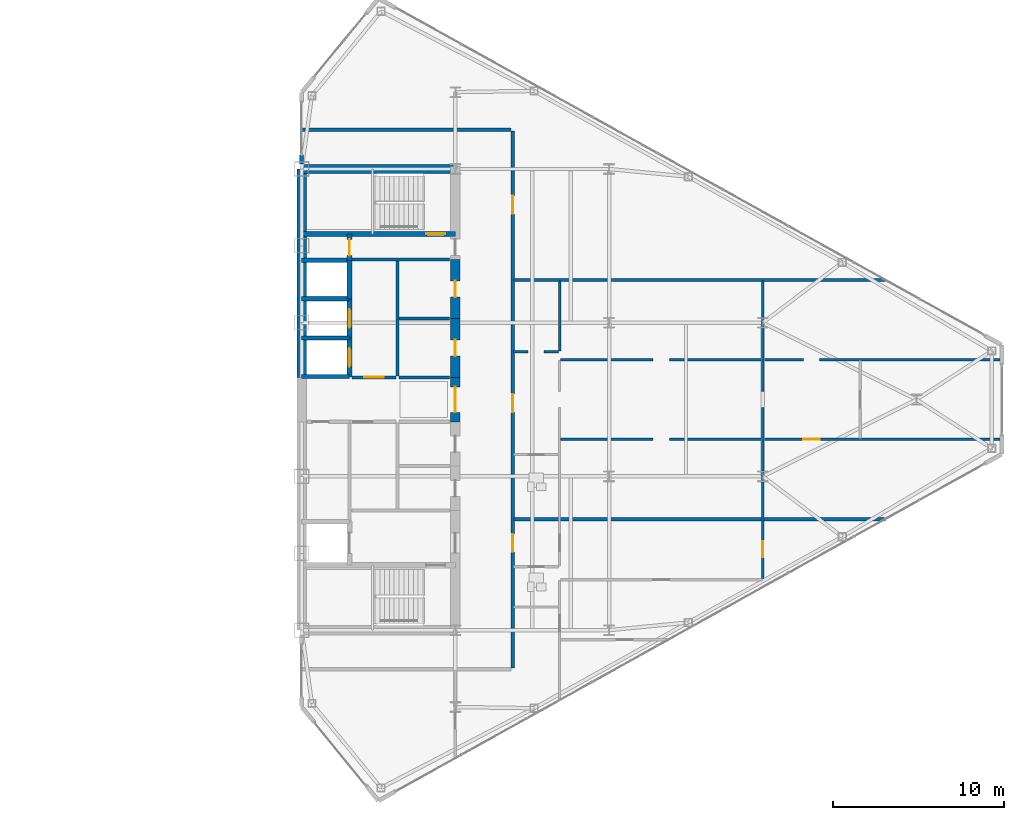
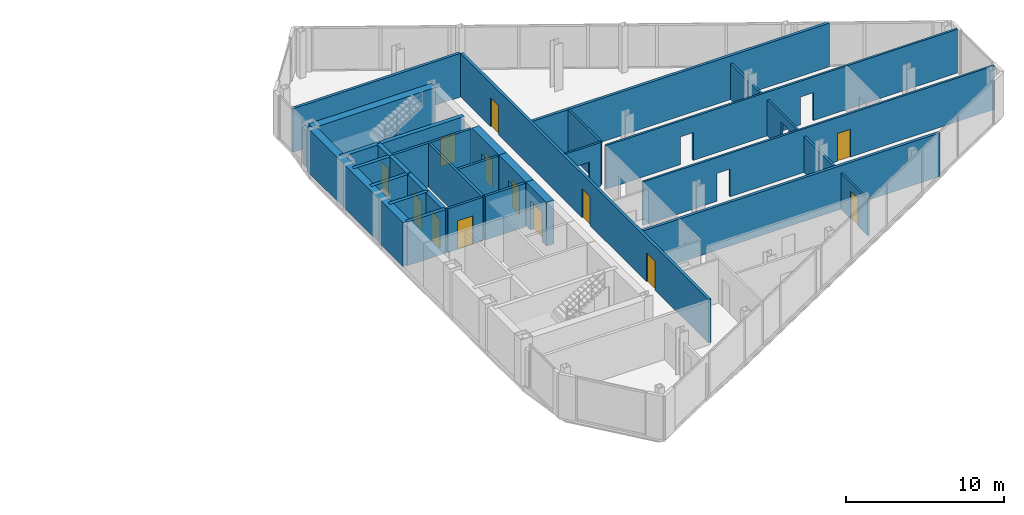
# One storey, part 22 of 26: 29 walls, 13 doors, 18 openings.
"""IFC4 building model written with IfcOpenShell, lengths in metres."""

import ifcopenshell
import ifcopenshell.guid

model = None  # the IFC model being written
_history = None  # IfcOwnerHistory: only IFC2X3 demands one
_inside = {}  # id of a spatial element -> (the spatial element, [elements in it])
_under = {}  # id of a project, library or spatial element -> (it, [spatial elements below it])
_declared = {}  # id of a project -> (the project, [libraries it declares])
_typed = {}  # id of a type object -> (the type object, [elements of that type])
_made_of = {}  # id of a material, layer set ... -> (it, [elements and type objects made of it])


def new_model(schema):
    """Start an empty IFC model of exactly this schema.

    Asked for "IFC4X3", IfcOpenShell would pick the latest addendum, in which some entities
    have other attributes; the version numbers below select the first issue.
    IFC2X3 requires an IfcOwnerHistory on every rooted entity: one is made here for all.
    """
    global model, _history
    if schema == "IFC4X3":
        model = ifcopenshell.file(schema_version=(4, 3, 0, 0))
    else:
        model = ifcopenshell.file(schema=schema)
    _inside.clear()
    _under.clear()
    _declared.clear()
    _typed.clear()
    _made_of.clear()
    _history = None
    if model.schema == "IFC2X3":
        org = make("IfcOrganization", Name="unknown")
        user = make(
            "IfcPersonAndOrganization",
            ThePerson=make("IfcPerson", FamilyName="unknown"),
            TheOrganization=org,
        )
        app = make(
            "IfcApplication",
            ApplicationDeveloper=org,
            Version="unknown",
            ApplicationFullName="unknown",
            ApplicationIdentifier="unknown",
        )
        _history = make(
            "IfcOwnerHistory",
            OwningUser=user,
            OwningApplication=app,
            ChangeAction="ADDED",
            CreationDate=0,
        )
    return model


def make(cls, **values):
    """One entity of the class cls with the attributes given. An attribute that is None is left unset."""
    return model.create_entity(
        cls, **{name: value for name, value in values.items() if value is not None}
    )


def rooted(cls, **values):
    """An entity with a GlobalId (a new one), such as an element, a storey or a relation."""
    return make(cls, GlobalId=ifcopenshell.guid.new(), OwnerHistory=_history, **values)


def si_unit(unit_type, name, prefix=None):
    """IfcSIUnit, for example si_unit("LENGTHUNIT", "METRE", prefix="MILLI")."""
    return make("IfcSIUnit", UnitType=unit_type, Prefix=prefix, Name=name)


def assignment(units):
    """IfcUnitAssignment: the units of a project."""
    return None if units is None else make("IfcUnitAssignment", Units=units)


def point(xyz):
    """IfcCartesianPoint."""
    return None if xyz is None else make("IfcCartesianPoint", Coordinates=xyz)


def direction(xyz):
    """IfcDirection."""
    return None if xyz is None else make("IfcDirection", DirectionRatios=xyz)


def frame(location, z_axis=None, x_axis=None):
    """IfcAxis2Placement3D, a coordinate frame: its origin and axes. An axis left out is left unset."""
    return make(
        "IfcAxis2Placement3D",
        Location=point(location),
        Axis=direction(z_axis),
        RefDirection=direction(x_axis),
    )


def frame_2d(location, x_axis=None):
    """IfcAxis2Placement2D, a coordinate frame in the plane: its origin and x axis."""
    return make(
        "IfcAxis2Placement2D", Location=point(location), RefDirection=direction(x_axis)
    )


def origin():
    """The frame at (0, 0, 0) with its axes left unset."""
    return frame((0.0, 0.0, 0.0))


def place(relative_to, where):
    """IfcLocalPlacement: puts the frame where relative to a parent placement (None: the world)."""
    return make(
        "IfcLocalPlacement", PlacementRelTo=relative_to, RelativePlacement=where
    )


def context(
    kind, dimensions, precision=None, world=None, true_north=None, identifier=None
):
    """IfcGeometricRepresentationContext, for example the 3D "Model" context."""
    return make(
        "IfcGeometricRepresentationContext",
        ContextIdentifier=identifier,
        ContextType=kind,
        CoordinateSpaceDimension=dimensions,
        Precision=precision,
        WorldCoordinateSystem=world,
        TrueNorth=true_north,
    )


def subcontext(parent, identifier, kind, view, scale=None):
    """IfcGeometricRepresentationSubContext, for example "Body" below "Model"."""
    return make(
        "IfcGeometricRepresentationSubContext",
        ContextIdentifier=identifier,
        ContextType=kind,
        ParentContext=parent,
        TargetScale=scale,
        TargetView=view,
    )


def project(units=None, contexts=None):
    """IfcProject with its units and contexts."""
    return rooted(
        "IfcProject",
        Name="project",
        RepresentationContexts=contexts,
        UnitsInContext=assignment(units),
    )


def spatial(cls, under=None, at=None, **own):
    """A site, building, storey or space (cls), placed at a placement, below another one or the project."""
    s = rooted(cls, ObjectPlacement=at, **own)
    if under is not None:
        _under.setdefault(under.id(), (under, []))[1].append(s)
    return s


def profile(cls, at=None, kind="AREA", **sizes):
    """A parametric profile (cls). Its sizes go by their IFC names, for example OverallWidth=200.0."""
    return make(cls, ProfileType=kind, Position=at, **sizes)


def rectangle(**sizes):
    """IfcRectangleProfileDef."""
    return profile("IfcRectangleProfileDef", **sizes)


def extrude(swept, where, along, depth):
    """IfcExtrudedAreaSolid: the profile swept, set in the frame where, extruded along a direction by depth."""
    return make(
        "IfcExtrudedAreaSolid",
        SweptArea=swept,
        Position=where,
        ExtrudedDirection=direction(along),
        Depth=depth,
    )


def shape(context_of_items, identifier, shape_type, items):
    """IfcShapeRepresentation: the items that make up one representation, for example the "Body"."""
    return make(
        "IfcShapeRepresentation",
        ContextOfItems=context_of_items,
        RepresentationIdentifier=identifier,
        RepresentationType=shape_type,
        Items=items,
    )


def source(mapping_origin, context_of_items, identifier, shape_type, items):
    """IfcRepresentationMap: a shape defined once, which mapped items show again and again."""
    return make(
        "IfcRepresentationMap",
        MappingOrigin=mapping_origin,
        MappedRepresentation=shape(context_of_items, identifier, shape_type, items),
    )


def transform(
    local_origin,
    x_axis=None,
    y_axis=None,
    z_axis=None,
    scale=None,
    scale2=None,
    scale3=None,
    uniform=True,
):
    """IfcCartesianTransformationOperator3D, or its non-uniform kind. x_axis, y_axis, z_axis: its Axis1, 2, 3."""
    if uniform:
        return make(
            "IfcCartesianTransformationOperator3D",
            Axis1=direction(x_axis),
            Axis2=direction(y_axis),
            LocalOrigin=point(local_origin),
            Scale=scale,
            Axis3=direction(z_axis),
        )
    return make(
        "IfcCartesianTransformationOperator3DnonUniform",
        Axis1=direction(x_axis),
        Axis2=direction(y_axis),
        LocalOrigin=point(local_origin),
        Scale=scale,
        Axis3=direction(z_axis),
        Scale2=scale2,
        Scale3=scale3,
    )


def mapped(mapping_source, mapping_target):
    """IfcMappedItem: shows the shape of a source again, moved by a transform."""
    return make(
        "IfcMappedItem", MappingSource=mapping_source, MappingTarget=mapping_target
    )


def material(Name=None, Category=None):
    """IfcMaterial."""
    return make("IfcMaterial", Name=Name, Category=Category)


def layer(
    of_material, thickness, ventilated=None, Name=None, Category=None, Priority=None
):
    """IfcMaterialLayer: one layer of a wall or slab, of a material (None: an air gap)."""
    return make(
        "IfcMaterialLayer",
        Material=of_material,
        LayerThickness=thickness,
        IsVentilated=ventilated,
        Name=Name,
        Category=Category,
        Priority=Priority,
    )


def layer_set(layers, Name=None):
    """IfcMaterialLayerSet."""
    return make("IfcMaterialLayerSet", MaterialLayers=layers, LayerSetName=Name)


def made_of(thing, what):
    """Note that an element or type object is made of a material, layer set ...; save() writes the relation."""
    if what is not None:
        _made_of.setdefault(what.id(), (what, []))[1].append(thing)
    return thing


def type_object(cls, material=None, **own):
    """A type object (cls), such as IfcWallType, which elements share."""
    return made_of(rooted(cls, **own), material)


def type_shapes(of_type, sources):
    """Give a type object the sources (RepresentationMaps) that its elements show as mapped items."""
    of_type.RepresentationMaps = sources


def element(
    cls,
    number,
    at=None,
    inside=None,
    cuts=None,
    type_object=None,
    material=None,
    context=None,
    identifier="Body",
    shape_type=None,
    held_by="IfcProductDefinitionShape",
    body=None,
    shapes=None,
    **own,
):
    """One element of the class cls, such as IfcWall. Its Tag is "e" and its number.

    at: its placement. inside: the storey or other place that contains it. cuts: it is an
    opening in that element (IfcRelVoidsElement). A single representation is given by context,
    identifier, shape_type and body (its items); several are given by shapes. held_by: the class
    of the entity that holds the representations. save() writes the other relations.
    """
    e = rooted(cls, Tag="e%d" % number, ObjectPlacement=at, **own)
    if body is not None:
        shapes = [shape(context, identifier, shape_type, body)]
    if shapes is not None:
        e.Representation = make(held_by, Representations=shapes)
    if inside is not None:
        _inside.setdefault(inside.id(), (inside, []))[1].append(e)
    if cuts is not None:
        rooted(
            "IfcRelVoidsElement", RelatingBuildingElement=cuts, RelatedOpeningElement=e
        )
    if type_object is not None:
        _typed.setdefault(type_object.id(), (type_object, []))[1].append(e)
    return made_of(e, material)


def fill(opening, filler):
    """IfcRelFillsElement: the door or window that sits in an opening."""
    return rooted(
        "IfcRelFillsElement",
        RelatingOpeningElement=opening,
        RelatedBuildingElement=filler,
    )


def aggregate(whole, parts):
    """IfcRelAggregates: a whole, such as a stair, and the parts it consists of."""
    return rooted("IfcRelAggregates", RelatingObject=whole, RelatedObjects=parts)


def save(model, path):
    """Write the relations noted so far, then the file.

    IfcRelAggregates (storeys below a building ...), IfcRelContainedInSpatialStructure (elements
    in a storey), IfcRelDefinesByType, IfcRelAssociatesMaterial and IfcRelDeclares: one each for
    every whole, place, type object, material and project.
    """
    for whole, parts in _under.values():
        aggregate(whole, parts)
    for where, things in _inside.values():
        rooted(
            "IfcRelContainedInSpatialStructure",
            RelatedElements=things,
            RelatingStructure=where,
        )
    for kind, things in _typed.values():
        rooted("IfcRelDefinesByType", RelatedObjects=things, RelatingType=kind)
    for what, things in _made_of.values():
        rooted("IfcRelAssociatesMaterial", RelatedObjects=things, RelatingMaterial=what)
    for by, libraries in _declared.values():
        rooted("IfcRelDeclares", RelatingContext=by, RelatedDefinitions=libraries)
    model.write(path)


model = new_model("IFC4")

# Units and contexts
model_context = context("Model", 3, precision=1e-05, world=origin(), true_north=direction((0.0, 1.0)))
body_context = subcontext(model_context, "Body", "Model", "MODEL_VIEW")
ifc_project = project(units=[si_unit("LENGTHUNIT", "METRE"), si_unit("AREAUNIT", "SQUARE_METRE"), si_unit("VOLUMEUNIT", "CUBIC_METRE"), si_unit("PLANEANGLEUNIT", "RADIAN"), si_unit("MASSUNIT", "GRAM", prefix="KILO")], contexts=[model_context])

# Site, building, storey
site_placement = place(None, origin())
site = spatial("IfcSite", under=ifc_project, at=site_placement, CompositionType="ELEMENT")
building_placement = place(site_placement, origin())
building = spatial("IfcBuilding", under=site, at=building_placement, Name="Seokmaru Belvedere", CompositionType="ELEMENT")
storey_placement = place(building_placement, frame((0.0, 0.0, 167.10009765625)))
storey = spatial("IfcBuildingStorey", under=building, at=storey_placement, Name="L44", CompositionType="ELEMENT", Elevation=167.10009765625)

# Wall, openings, door
ifc_material_1 = material(Name="Fire-Rated Gypsum Shaftwall")
ifc_layer_1 = layer(ifc_material_1, 0.14990234375)
ifc_layer_set_1 = layer_set([ifc_layer_1], Name="Fire-Rated Gypsum Shaftwall")
wall_type_1 = type_object("IfcWallType", Name="Apartment Fire-Acoustic Room Partition 150", PredefinedType="PARTITIONING", material=ifc_layer_set_1)
wall_1_placement = place(storey_placement, frame((42.64990234375, -2.330078125, 0.0), z_axis=(0.0, 0.0, 1.0), x_axis=(1.0, 0.0, 0.0)))
wall_1 = element("IfcWall", 1, at=wall_1_placement, inside=storey, type_object=wall_type_1, Name="L44 Interior Partition 012", PredefinedType="PARTITIONING", context=body_context, shape_type="SweptSolid", body=[
    extrude(rectangle(XDim=25.72509765625, YDim=0.14990234375, at=frame_2d((12.862548828125, 0.0))), origin(), (0.0, 0.0, 1.0), 3.3798828125),
])
opening_1_placement = place(wall_1_placement, frame((5.425048828125, 0.0, 0.0)))
element("IfcOpeningElement", 2, at=opening_1_placement, cuts=wall_1, Name="L44 Cased Opening 027", PredefinedType="OPENING", context=body_context, shape_type="SweptSolid", body=[
    extrude(rectangle(XDim=0.949951171875, YDim=2.14990234375, at=frame_2d((0.47509765625, 1.074951171875))), frame((0.0, 0.0849609375, 0.0), z_axis=(0.0, -1.0, 0.0), x_axis=(1.0, 0.0, 0.0)), (0.0, 0.0, 1.0), 0.169921875),
])
opening_2_placement = place(wall_1_placement, frame((14.22509765625, 0.0, 0.0)))
opening_2 = element("IfcOpeningElement", 3, at=opening_2_placement, cuts=wall_1, Name="Opening D05", PredefinedType="OPENING", context=body_context, shape_type="SweptSolid", body=[
    extrude(rectangle(XDim=0.949951171875, YDim=2.14990234375, at=frame_2d((0.47509765625, 1.074951171875))), frame((0.0, 0.0849609375, 0.0), z_axis=(0.0, -1.0, 0.0), x_axis=(1.0, 0.0, 0.0)), (0.0, 0.0, 1.0), 0.169921875),
])
ifc_material_2 = material(Name="Engineered White Oak Timber", Category="wood")
door_type_1 = type_object("IfcDoorType", Name="Apartment Interior Fire-Rated Oak Door 950x2150", OperationType="NOTDEFINED", PredefinedType="DOOR", material=ifc_material_2)
shared_shape_1 = source(origin(), body_context, "Body", "SweptSolid", [
    extrude(rectangle(XDim=0.949951171875, YDim=2.14990234375, at=frame_2d((0.47509765625, 1.074951171875))), frame((0.0, 0.02490234375, 0.0), z_axis=(0.0, -1.0, 0.0), x_axis=(1.0, 0.0, 0.0)), (0.0, 0.0, 1.0), 0.050048828125),
])
type_shapes(door_type_1, [shared_shape_1])
door_1_placement = place(opening_2_placement, origin())
door_1 = element("IfcDoor", 4, at=door_1_placement, inside=storey, type_object=door_type_1, Name="L44 Interior Door 029", OperationType="SINGLE_SWING_RIGHT", OverallHeight=2.14990234375, OverallWidth=0.949951171875, PredefinedType="DOOR", context=body_context, shape_type="MappedRepresentation", body=[
    mapped(shared_shape_1, transform((0.0, 0.0, 0.0), scale=1.0)),
])
fill(opening_2, door_1)

# Wall, openings
wall_2_placement = place(storey_placement, frame((42.64990234375, 2.330078125, 0.0), z_axis=(0.0, 0.0, 1.0), x_axis=(1.0, 0.0, 0.0)))
wall_2 = element("IfcWall", 5, at=wall_2_placement, inside=storey, type_object=wall_type_1, Name="L44 Interior Partition 015", PredefinedType="PARTITIONING", context=body_context, shape_type="SweptSolid", body=[
    extrude(rectangle(XDim=25.72509765625, YDim=0.14990234375, at=frame_2d((12.862548828125, 0.0))), origin(), (0.0, 0.0, 1.0), 3.3798828125),
])
opening_3_placement = place(wall_2_placement, frame((5.425048828125, 0.0, 0.0)))
element("IfcOpeningElement", 6, at=opening_3_placement, cuts=wall_2, Name="L44 Cased Opening 028", PredefinedType="OPENING", context=body_context, shape_type="SweptSolid", body=[
    extrude(rectangle(XDim=0.949951171875, YDim=2.14990234375, at=frame_2d((0.47509765625, 1.074951171875))), frame((0.0, 0.0849609375, 0.0), z_axis=(0.0, -1.0, 0.0), x_axis=(1.0, 0.0, 0.0)), (0.0, 0.0, 1.0), 0.169921875),
])
opening_4_placement = place(wall_2_placement, frame((14.22509765625, 0.0, 0.0)))
element("IfcOpeningElement", 7, at=opening_4_placement, cuts=wall_2, Name="L44 Cased Opening 031", PredefinedType="OPENING", context=body_context, shape_type="SweptSolid", body=[
    extrude(rectangle(XDim=0.949951171875, YDim=2.14990234375, at=frame_2d((0.47509765625, 1.074951171875))), frame((0.0, 0.0849609375, 0.0), z_axis=(0.0, -1.0, 0.0), x_axis=(1.0, 0.0, 0.0)), (0.0, 0.0, 1.0), 0.169921875),
])

# Wall, opening
wall_3_placement = place(storey_placement, frame((39.89990234375, 2.800048828125, 0.0), z_axis=(0.0, 0.0, 1.0), x_axis=(1.0, 0.0, 0.0)))
wall_3 = element("IfcWall", 8, at=wall_3_placement, inside=storey, type_object=wall_type_1, Name="L44 Interior Partition 016", PredefinedType="PARTITIONING", context=body_context, shape_type="SweptSolid", body=[
    extrude(rectangle(XDim=2.650146484375, YDim=0.14990234375, at=frame_2d((1.3251953125, 0.0))), origin(), (0.0, 0.0, 1.0), 3.3798828125),
])
opening_5_placement = place(wall_3_placement, frame((0.85009765625, 0.0, 0.0)))
element("IfcOpeningElement", 9, at=opening_5_placement, cuts=wall_3, Name="L44 Cased Opening 024", PredefinedType="OPENING", context=body_context, shape_type="SweptSolid", body=[
    extrude(rectangle(XDim=0.949951171875, YDim=2.14990234375, at=frame_2d((0.47509765625, 1.074951171875))), frame((0.0, 0.0849609375, 0.0), z_axis=(0.0, -1.0, 0.0), x_axis=(1.0, 0.0, 0.0)), (0.0, 0.0, 1.0), 0.169921875),
])

# Wall
wall_4_placement = place(storey_placement, frame((42.60009765625, 2.85205078125, 0.0), z_axis=(0.0, 0.0, 1.0), x_axis=(0.0, 1.0, 0.0)))
element("IfcWall", 10, at=wall_4_placement, inside=storey, type_object=wall_type_1, Name="L44 Interior Partition 030", PredefinedType="PARTITIONING", context=body_context, shape_type="SweptSolid", body=[
    extrude(rectangle(XDim=4.097900390625, YDim=0.14990234375, at=frame_2d((2.048828125, 0.0))), origin(), (0.0, 0.0, 1.0), 3.3798828125),
])

# Wall, openings, door
wall_5_placement = place(storey_placement, frame((54.5, -10.485107421875, 0.0), z_axis=(0.0, 0.0, 1.0), x_axis=(0.0, 1.0, 0.0)))
wall_5 = element("IfcWall", 11, at=wall_5_placement, inside=storey, type_object=wall_type_1, Name="L44 Interior Partition 031", PredefinedType="PARTITIONING", context=body_context, shape_type="SweptSolid", body=[
    extrude(rectangle(XDim=17.43505859375, YDim=0.14990234375, at=frame_2d((8.717529296875, 0.0))), origin(), (0.0, 0.0, 1.0), 2.77978515625),
])
opening_6_placement = place(wall_5_placement, frame((1.242431640625, 0.0, 0.0)))
opening_6 = element("IfcOpeningElement", 12, at=opening_6_placement, cuts=wall_5, Name="Opening D05", PredefinedType="OPENING", context=body_context, shape_type="SweptSolid", body=[
    extrude(rectangle(XDim=0.949951171875, YDim=2.14990234375, at=frame_2d((0.47509765625, 1.074951171875))), frame((0.0, 0.0849609375, 0.0), z_axis=(0.0, -1.0, 0.0), x_axis=(1.0, 0.0, 0.0)), (0.0, 0.0, 1.0), 0.169921875),
])
opening_7_placement = place(wall_5_placement, frame((10.010009765625, 0.0, 0.0)))
element("IfcOpeningElement", 13, at=opening_7_placement, cuts=wall_5, Name="L44 Cased Opening 026", PredefinedType="OPENING", context=body_context, shape_type="SweptSolid", body=[
    extrude(rectangle(XDim=0.949951171875, YDim=2.14990234375, at=frame_2d((0.47509765625, 1.074951171875))), frame((0.0, 0.0849609375, 0.0), z_axis=(0.0, -1.0, 0.0), x_axis=(1.0, 0.0, 0.0)), (0.0, 0.0, 1.0), 0.169921875),
])
door_2_placement = place(opening_6_placement, origin())
door_2 = element("IfcDoor", 14, at=door_2_placement, inside=storey, type_object=door_type_1, Name="L44 Interior Door 017", OperationType="SINGLE_SWING_LEFT", OverallHeight=2.14990234375, OverallWidth=0.949951171875, PredefinedType="DOOR", context=body_context, shape_type="MappedRepresentation", body=[
    mapped(shared_shape_1, transform((0.0, 0.0, 0.0), scale=1.0)),
])
fill(opening_6, door_2)

# Walls
ifc_layer_2 = layer(ifc_material_1, 0.179931640625)
ifc_layer_set_2 = layer_set([ifc_layer_2], Name="Fire-Rated Gypsum Shaftwall")
wall_type_2 = type_object("IfcWallType", Name="Core Service Fire Partition 180", PredefinedType="PARTITIONING", material=ifc_layer_set_2)
wall_6_placement = place(storey_placement, frame((30.449951171875, 8.199951171875, 0.0), z_axis=(0.0, 0.0, 1.0), x_axis=(1.0, 0.0, 0.0)))
element("IfcWall", 15, at=wall_6_placement, inside=storey, type_object=wall_type_2, Name="L44 East Smokeproof Vestibule Partition", PredefinedType="PARTITIONING", context=body_context, shape_type="SweptSolid", body=[
    extrude(rectangle(XDim=5.699951171875, YDim=0.179931640625, at=frame_2d((2.85009765625, 0.0))), origin(), (0.0, 0.0, 1.0), 3.3798828125),
])
wall_7_placement = place(storey_placement, frame((33.10009765625, 1.3798828125, 0.0), z_axis=(0.0, 0.0, 1.0), x_axis=(0.0, 1.0, 0.0)))
element("IfcWall", 16, at=wall_7_placement, inside=storey, type_object=wall_type_2, Name="L44 East North Core Service Back Wall", PredefinedType="PARTITIONING", context=body_context, shape_type="SweptSolid", body=[
    extrude(rectangle(XDim=6.740234375, YDim=0.179931640625, at=frame_2d((3.3701171875, 0.0))), origin(), (0.0, 0.0, 1.0), 3.3798828125),
])

# Wall, opening, door
wall_8_placement = place(storey_placement, frame((30.449951171875, 1.300048828125, 0.0), z_axis=(0.0, 0.0, 1.0), x_axis=(1.0, 0.0, 0.0)))
wall_8 = element("IfcWall", 17, at=wall_8_placement, inside=storey, type_object=wall_type_2, Name="L44 East North Lift Lobby Foyer Wall", PredefinedType="PARTITIONING", context=body_context, shape_type="SweptSolid", body=[
    extrude(rectangle(XDim=2.570068359375, YDim=0.179931640625, at=frame_2d((1.28515625, 0.0))), origin(), (0.0, 0.0, 1.0), 3.3798828125),
])
opening_8_placement = place(wall_8_placement, frame((0.7099609375, 0.0, 0.0)))
opening_8 = element("IfcOpeningElement", 18, at=opening_8_placement, cuts=wall_8, Name="Opening D02", PredefinedType="OPENING", context=body_context, shape_type="SweptSolid", body=[
    extrude(rectangle(XDim=1.14990234375, YDim=2.199951171875, at=frame_2d((0.574951171875, 1.10009765625))), frame((0.0, 0.10009765625, 0.0), z_axis=(0.0, -1.0, 0.0), x_axis=(1.0, 0.0, 0.0)), (0.0, 0.0, 1.0), 0.199951171875),
])
ifc_material_3 = material(Name="Fire-Rated Steel Leaf", Category="steel")
door_type_2 = type_object("IfcDoorType", Name="Lobby and Vestibule Fire Door 1150x2200", OperationType="NOTDEFINED", PredefinedType="DOOR", material=ifc_material_3)
shared_shape_2 = source(origin(), body_context, "Body", "SweptSolid", [
    extrude(rectangle(XDim=1.14990234375, YDim=2.199951171875, at=frame_2d((0.574951171875, 1.10009765625))), frame((0.0, 0.02490234375, 0.0), z_axis=(0.0, -1.0, 0.0), x_axis=(1.0, 0.0, 0.0)), (0.0, 0.0, 1.0), 0.050048828125),
])
type_shapes(door_type_2, [shared_shape_2])
door_3_placement = place(opening_8_placement, origin())
door_3 = element("IfcDoor", 19, at=door_3_placement, inside=storey, type_object=door_type_2, Name="L44 East North Lift Lobby Door", OperationType="SINGLE_SWING_LEFT", OverallHeight=2.199951171875, OverallWidth=1.14990234375, PredefinedType="DOOR", context=body_context, shape_type="MappedRepresentation", body=[
    mapped(shared_shape_2, transform((0.0, 0.0, 0.0), scale=1.0)),
])
fill(opening_8, door_3)

# Walls
for number, where, z_axis, x_axis, name in (
    (20, (33.199951171875, 1.300048828125, 0.0), (0.0, 0.0, 1.0), (1.0, 0.0, 0.0), "L44 East Foyer Side Wall N"),
    (21, (33.199951171875, 4.75, 0.0), (0.0, 0.0, 1.0), (1.0, 0.0, 0.0), "L44 East Core Service Partition 2"),
):
    element("IfcWall", number, at=place(storey_placement, frame(where, z_axis=z_axis, x_axis=x_axis)), inside=storey, type_object=wall_type_2, Name=name, PredefinedType="PARTITIONING", context=body_context, shape_type="SweptSolid", body=[
        extrude(rectangle(XDim=2.949951171875, YDim=0.179931640625, at=frame_2d((1.47509765625, 0.0))), origin(), (0.0, 0.0, 1.0), 3.3798828125),
    ])
ifc_material_4 = material(Name="Concrete C50 (50 MPa)", Category="concrete")
ifc_layer_3 = layer(ifc_material_4, 0.25)
ifc_layer_set_3 = layer_set([ifc_layer_3], Name="Concrete C50 (50 MPa)")
wall_type_3 = type_object("IfcWallType", Name="Hoistway Transverse Concrete Divider Wall 250", PredefinedType="SHEAR", material=ifc_layer_set_3)
for number, where, z_axis, x_axis, name in (
    (22, (27.5, 1.35009765625, 0.0), (0.0, 0.0, 1.0), (1.0, 0.0, 0.0), "L44 East Hoistway Divider Core Wall 2"),
    (23, (27.5, 3.60009765625, 0.0), (0.0, 0.0, 1.0), (1.0, 0.0, 0.0), "L44 East Hoistway Divider Core Wall 3"),
    (24, (27.5, 5.89990234375, 0.0), (0.0, 0.0, 1.0), (1.0, 0.0, 0.0), "L44 East Hoistway Divider Core Wall 4"),
    (25, (27.5, 8.14990234375, 0.0), (0.0, 0.0, 1.0), (1.0, 0.0, 0.0), "L44 East Hoistway Divider Core Wall 5"),
):
    element("IfcWall", number, at=place(storey_placement, frame(where, z_axis=z_axis, x_axis=x_axis)), inside=storey, type_object=wall_type_3, Name=name, PredefinedType="SHEAR", context=body_context, shape_type="SweptSolid", body=[
        extrude(rectangle(XDim=2.800048828125, YDim=0.25, at=frame_2d((1.39990234375, 0.0))), origin(), (0.0, 0.0, 1.0), 3.3798828125),
    ])
ifc_layer_4 = layer(ifc_material_1, 0.199951171875)
ifc_layer_set_4 = layer_set([ifc_layer_4], Name="Fire-Rated Gypsum Shaftwall")
wall_type_4 = type_object("IfcWallType", Name="Inter-Tenancy Fire Compartment Partition 200", PredefinedType="PARTITIONING", material=ifc_layer_set_4)
for number, where, z_axis, x_axis, name in (
    (26, (39.929931640625, -7.0, 0.0), (0.0, 0.0, 1.0), (1.0, 0.0, 0.0), "L44 Interior Partition 008"),
    (27, (39.929931640625, 7.0, 0.0), (0.0, 0.0, 1.0), (1.0, 0.0, 0.0), "L44 Interior Partition 018"),
):
    element("IfcWall", number, at=place(storey_placement, frame(where, z_axis=z_axis, x_axis=x_axis)), inside=storey, type_object=wall_type_4, Name=name, PredefinedType="PARTITIONING", context=body_context, shape_type="SweptSolid", body=[
        extrude(rectangle(XDim=21.748046875, YDim=0.199951171875, at=frame_2d((10.8740234375, 0.0))), origin(), (0.0, 0.0, 1.0), 3.3798828125),
    ])
wall_9_placement = place(storey_placement, frame((27.5, 15.800048828125, 0.0), z_axis=(0.0, 0.0, 1.0), x_axis=(1.0, 0.0, 0.0)))
element("IfcWall", 28, at=wall_9_placement, inside=storey, type_object=wall_type_4, Name="L44 Interior Partition 020", PredefinedType="PARTITIONING", context=body_context, shape_type="SweptSolid", body=[
    extrude(rectangle(XDim=12.264892578125, YDim=0.199951171875, at=frame_2d((6.13232421875, 0.0))), origin(), (0.0, 0.0, 1.0), 3.3798828125),
])

# Wall, openings, doors
wall_10_placement = place(storey_placement, frame((39.85009765625, -15.715087890625, 0.0), z_axis=(0.0, 0.0, 1.0), x_axis=(0.0, 1.0, 0.0)))
wall_10 = element("IfcWall", 29, at=wall_10_placement, inside=storey, type_object=wall_type_4, Name="L44 Interior Partition 027", PredefinedType="PARTITIONING", context=body_context, shape_type="SweptSolid", body=[
    extrude(rectangle(XDim=31.43017578125, YDim=0.199951171875, at=frame_2d((15.715087890625, 0.0))), origin(), (0.0, 0.0, 1.0), 3.3798828125),
])
opening_9_placement = place(wall_10_placement, frame((6.79248046875, 0.0, 0.0)))
opening_9 = element("IfcOpeningElement", 30, at=opening_9_placement, cuts=wall_10, Name="Opening D03", PredefinedType="OPENING", context=body_context, shape_type="SweptSolid", body=[
    extrude(rectangle(XDim=1.050048828125, YDim=2.25, at=frame_2d((0.52490234375, 1.125))), frame((0.0, 0.10986328125, 0.0), z_axis=(0.0, -1.0, 0.0), x_axis=(1.0, 0.0, 0.0)), (0.0, 0.0, 1.0), 0.219970703125),
])
opening_10_placement = place(wall_10_placement, frame((14.97998046875, 0.0, 0.0)))
opening_10 = element("IfcOpeningElement", 31, at=opening_10_placement, cuts=wall_10, Name="Opening D03", PredefinedType="OPENING", context=body_context, shape_type="SweptSolid", body=[
    extrude(rectangle(XDim=1.050048828125, YDim=2.25, at=frame_2d((0.52490234375, 1.125))), frame((0.0, 0.10986328125, 0.0), z_axis=(0.0, -1.0, 0.0), x_axis=(1.0, 0.0, 0.0)), (0.0, 0.0, 1.0), 0.219970703125),
])
opening_11_placement = place(wall_10_placement, frame((26.590087890625, 0.0, 0.0)))
opening_11 = element("IfcOpeningElement", 32, at=opening_11_placement, cuts=wall_10, Name="Opening D03", PredefinedType="OPENING", context=body_context, shape_type="SweptSolid", body=[
    extrude(rectangle(XDim=1.050048828125, YDim=2.25, at=frame_2d((0.52490234375, 1.125))), frame((0.0, 0.10986328125, 0.0), z_axis=(0.0, -1.0, 0.0), x_axis=(1.0, 0.0, 0.0)), (0.0, 0.0, 1.0), 0.219970703125),
])
door_type_3 = type_object("IfcDoorType", Name="Apartment Entrance Fire Door 1050x2250", OperationType="NOTDEFINED", PredefinedType="DOOR", material=ifc_material_3)
shared_shape_3 = source(origin(), body_context, "Body", "SweptSolid", [
    extrude(rectangle(XDim=1.050048828125, YDim=2.25, at=frame_2d((0.52490234375, 1.125))), frame((0.0, 0.02490234375, 0.0), z_axis=(0.0, -1.0, 0.0), x_axis=(1.0, 0.0, 0.0)), (0.0, 0.0, 1.0), 0.050048828125),
])
type_shapes(door_type_3, [shared_shape_3])
door_4_placement = place(opening_9_placement, origin())
door_4 = element("IfcDoor", 33, at=door_4_placement, inside=storey, type_object=door_type_3, Name="L44 Interior Door 014", OperationType="SINGLE_SWING_LEFT", OverallHeight=2.25, OverallWidth=1.050048828125, PredefinedType="DOOR", context=body_context, shape_type="MappedRepresentation", body=[
    mapped(shared_shape_3, transform((0.0, 0.0, 0.0), scale=1.0)),
])
fill(opening_9, door_4)
door_5_placement = place(opening_10_placement, origin())
door_5 = element("IfcDoor", 34, at=door_5_placement, inside=storey, type_object=door_type_3, Name="L44 Interior Door 022", OperationType="SINGLE_SWING_RIGHT", OverallHeight=2.25, OverallWidth=1.050048828125, PredefinedType="DOOR", context=body_context, shape_type="MappedRepresentation", body=[
    mapped(shared_shape_3, transform((0.0, 0.0, 0.0), scale=1.0)),
])
fill(opening_10, door_5)
door_6_placement = place(opening_11_placement, origin())
door_6 = element("IfcDoor", 35, at=door_6_placement, inside=storey, type_object=door_type_3, Name="L44 Interior Door 032", OperationType="SINGLE_SWING_LEFT", OverallHeight=2.25, OverallWidth=1.050048828125, PredefinedType="DOOR", context=body_context, shape_type="MappedRepresentation", body=[
    mapped(shared_shape_3, transform((0.0, 0.0, 0.0), scale=1.0)),
])
fill(opening_11, door_6)

# Wall, opening, door
ifc_layer_5 = layer(ifc_material_4, 0.300048828125)
ifc_layer_set_5 = layer_set([ifc_layer_5], Name="Concrete C50 (50 MPa)")
wall_type_5 = type_object("IfcWallType", Name="Internal Core Stair and Hoistway Wall 300", PredefinedType="SHEAR", material=ifc_layer_set_5)
wall_11_placement = place(storey_placement, frame((27.5, 9.699951171875, 0.0), z_axis=(0.0, 0.0, 1.0), x_axis=(1.0, 0.0, 0.0)))
wall_11 = element("IfcWall", 36, at=wall_11_placement, inside=storey, type_object=wall_type_5, Name="L44 East Stair ST-2 Enclosure Wall", PredefinedType="SHEAR", context=body_context, shape_type="SweptSolid", body=[
    extrude(rectangle(XDim=9.0, YDim=0.300048828125, at=frame_2d((4.5, 0.0))), origin(), (0.0, 0.0, 1.0), 3.3798828125),
])
opening_12_placement = place(wall_11_placement, frame((7.300048828125, 0.0, 0.0)))
opening_12 = element("IfcOpeningElement", 37, at=opening_12_placement, cuts=wall_11, Name="Opening D01", PredefinedType="OPENING", context=body_context, shape_type="SweptSolid", body=[
    extrude(rectangle(XDim=1.10009765625, YDim=2.199951171875, at=frame_2d((0.550048828125, 1.10009765625))), frame((0.0, 0.16015625, 0.0), z_axis=(0.0, -1.0, 0.0), x_axis=(1.0, 0.0, 0.0)), (0.0, 0.0, 1.0), 0.320068359375),
])
door_type_4 = type_object("IfcDoorType", Name="Special Escape Stair Smokeproof Fire Door 1100x2200", OperationType="NOTDEFINED", PredefinedType="DOOR", material=ifc_material_3)
shared_shape_4 = source(origin(), body_context, "Body", "SweptSolid", [
    extrude(rectangle(XDim=1.10009765625, YDim=2.199951171875, at=frame_2d((0.550048828125, 1.10009765625))), frame((0.0, 0.02490234375, 0.0), z_axis=(0.0, -1.0, 0.0), x_axis=(1.0, 0.0, 0.0)), (0.0, 0.0, 1.0), 0.050048828125),
])
type_shapes(door_type_4, [shared_shape_4])
door_7_placement = place(opening_12_placement, origin())
door_7 = element("IfcDoor", 38, at=door_7_placement, inside=storey, type_object=door_type_4, Name="L44 East Special Escape Stair ST-2 Door", OperationType="SINGLE_SWING_LEFT", OverallHeight=2.199951171875, OverallWidth=1.10009765625, PredefinedType="DOOR", context=body_context, shape_type="MappedRepresentation", body=[
    mapped(shared_shape_4, transform((0.0, 0.0, 0.0), scale=1.0)),
])
fill(opening_12, door_7)

wall_12_placement = place(storey_placement, frame((30.300048828125, 1.320068359375, 0.0), z_axis=(0.0, 0.0, 1.0), x_axis=(0.0, 1.0, 0.0)))
wall_12 = element("IfcWall", 39, at=wall_12_placement, inside=storey, type_object=wall_type_5, Name="L44 East North Hoistway Wall PH1", PredefinedType="SHEAR", context=body_context, shape_type="SweptSolid", body=[
    extrude(rectangle(XDim=2.280029296875, YDim=0.300048828125, at=frame_2d((1.14013671875, 0.0))), origin(), (0.0, 0.0, 1.0), 3.3798828125),
])
opening_13_placement = place(wall_12_placement, frame((0.590087890625, 0.0, 0.0)))
opening_13 = element("IfcOpeningElement", 40, at=opening_13_placement, cuts=wall_12, Name="Opening LD1", PredefinedType="OPENING", context=body_context, shape_type="SweptSolid", body=[
    extrude(rectangle(XDim=1.10009765625, YDim=2.199951171875, at=frame_2d((0.550048828125, 1.10009765625))), frame((0.0, 0.16015625, 0.0), z_axis=(0.0, -1.0, 0.0), x_axis=(1.0, 0.0, 0.0)), (0.0, 0.0, 1.0), 0.320068359375),
])
ifc_material_5 = material(Name="Stainless Steel 316", Category="steel")
door_type_5 = type_object("IfcDoorType", Name="Passenger Lift Sliding Landing Door 1100x2200", OperationType="DOUBLE_DOOR_SLIDING", PredefinedType="DOOR", material=ifc_material_5)
shared_shape_5 = source(origin(), body_context, "Body", "SweptSolid", [
    extrude(rectangle(XDim=1.10009765625, YDim=2.199951171875, at=frame_2d((0.550048828125, 1.10009765625))), frame((0.0, 0.02490234375, 0.0), z_axis=(0.0, -1.0, 0.0), x_axis=(1.0, 0.0, 0.0)), (0.0, 0.0, 1.0), 0.050048828125),
])
type_shapes(door_type_5, [shared_shape_5])
door_8_placement = place(opening_13_placement, origin())
door_8 = element("IfcDoor", 41, at=door_8_placement, inside=storey, type_object=door_type_5, Name="L44 East High-Rise Lift PH-1 Landing Door", OperationType="DOUBLE_DOOR_SLIDING", OverallHeight=2.199951171875, OverallWidth=1.10009765625, PredefinedType="DOOR", context=body_context, shape_type="MappedRepresentation", body=[
    mapped(shared_shape_5, transform((0.0, 0.0, 0.0), scale=1.0)),
])
fill(opening_13, door_8)

wall_13_placement = place(storey_placement, frame((30.300048828125, 3.60009765625, 0.0), z_axis=(0.0, 0.0, 1.0), x_axis=(0.0, 1.0, 0.0)))
wall_13 = element("IfcWall", 42, at=wall_13_placement, inside=storey, type_object=wall_type_5, Name="L44 East North Hoistway Wall PH2", PredefinedType="SHEAR", context=body_context, shape_type="SweptSolid", body=[
    extrude(rectangle(XDim=2.2998046875, YDim=0.300048828125, at=frame_2d((1.14990234375, 0.0))), origin(), (0.0, 0.0, 1.0), 3.3798828125),
])
opening_14_placement = place(wall_13_placement, frame((0.60009765625, 0.0, 0.0)))
opening_14 = element("IfcOpeningElement", 43, at=opening_14_placement, cuts=wall_13, Name="Opening LD1", PredefinedType="OPENING", context=body_context, shape_type="SweptSolid", body=[
    extrude(rectangle(XDim=1.10009765625, YDim=2.199951171875, at=frame_2d((0.550048828125, 1.10009765625))), frame((0.0, 0.16015625, 0.0), z_axis=(0.0, -1.0, 0.0), x_axis=(1.0, 0.0, 0.0)), (0.0, 0.0, 1.0), 0.320068359375),
])
door_9_placement = place(opening_14_placement, origin())
door_9 = element("IfcDoor", 44, at=door_9_placement, inside=storey, type_object=door_type_5, Name="L44 East High-Rise Lift PH-2 Landing Door", OperationType="DOUBLE_DOOR_SLIDING", OverallHeight=2.199951171875, OverallWidth=1.10009765625, PredefinedType="DOOR", context=body_context, shape_type="MappedRepresentation", body=[
    mapped(shared_shape_5, transform((0.0, 0.0, 0.0), scale=1.0)),
])
fill(opening_14, door_9)

# Wall
wall_14_placement = place(storey_placement, frame((30.300048828125, 5.89990234375, 0.0), z_axis=(0.0, 0.0, 1.0), x_axis=(0.0, 1.0, 0.0)))
element("IfcWall", 45, at=wall_14_placement, inside=storey, type_object=wall_type_5, Name="L44 East North Hoistway Wall OBS", PredefinedType="SHEAR", context=body_context, shape_type="SweptSolid", body=[
    extrude(rectangle(XDim=2.25, YDim=0.300048828125, at=frame_2d((1.125, 0.0))), origin(), (0.0, 0.0, 1.0), 3.3798828125),
])

# Wall, opening, door
wall_15_placement = place(storey_placement, frame((30.300048828125, 8.14990234375, 0.0), z_axis=(0.0, 0.0, 1.0), x_axis=(0.0, 1.0, 0.0)))
wall_15 = element("IfcWall", 46, at=wall_15_placement, inside=storey, type_object=wall_type_5, Name="L44 East Electrical Riser Front Wall", PredefinedType="SHEAR", context=body_context, shape_type="SweptSolid", body=[
    extrude(rectangle(XDim=1.530029296875, YDim=0.300048828125, at=frame_2d((0.76513671875, 0.0))), origin(), (0.0, 0.0, 1.0), 3.3798828125),
])
opening_15_placement = place(wall_15_placement, frame((0.284912109375, 0.0, 0.0)))
opening_15 = element("IfcOpeningElement", 47, at=opening_15_placement, cuts=wall_15, Name="Opening D04", PredefinedType="OPENING", context=body_context, shape_type="SweptSolid", body=[
    extrude(rectangle(XDim=0.949951171875, YDim=2.14990234375, at=frame_2d((0.47509765625, 1.074951171875))), frame((0.0, 0.16015625, 0.0), z_axis=(0.0, -1.0, 0.0), x_axis=(1.0, 0.0, 0.0)), (0.0, 0.0, 1.0), 0.320068359375),
])
door_type_6 = type_object("IfcDoorType", Name="Core Service Room Fire Door 950x2150", OperationType="NOTDEFINED", PredefinedType="DOOR", material=ifc_material_3)
shared_shape_6 = source(origin(), body_context, "Body", "SweptSolid", [
    extrude(rectangle(XDim=0.949951171875, YDim=2.14990234375, at=frame_2d((0.47509765625, 1.074951171875))), frame((0.0, 0.02490234375, 0.0), z_axis=(0.0, -1.0, 0.0), x_axis=(1.0, 0.0, 0.0)), (0.0, 0.0, 1.0), 0.050048828125),
])
type_shapes(door_type_6, [shared_shape_6])
door_10_placement = place(opening_15_placement, origin())
door_10 = element("IfcDoor", 48, at=door_10_placement, inside=storey, type_object=door_type_6, Name="L44 East Electrical Riser Access Door", OperationType="SINGLE_SWING_RIGHT", OverallHeight=2.14990234375, OverallWidth=0.949951171875, PredefinedType="DOOR", context=body_context, shape_type="MappedRepresentation", body=[
    mapped(shared_shape_6, transform((0.0, 0.0, 0.0), scale=1.0)),
])
fill(opening_15, door_10)

# Walls
ifc_layer_6 = layer(ifc_material_4, 0.550048828125)
ifc_layer_set_6 = layer_set([ifc_layer_6], Name="Concrete C50 (50 MPa)")
wall_type_6 = type_object("IfcWallType", Name="Mid-High Reinforced Concrete Core Wall 550", PredefinedType="SHEAR", material=ifc_layer_set_6)
wall_16_placement = place(storey_placement, frame((27.5, 1.300048828125, 0.0), z_axis=(0.0, 0.0, 1.0), x_axis=(0.0, 1.0, 0.0)))
element("IfcWall", 49, at=wall_16_placement, inside=storey, type_object=wall_type_6, Name="L44 East Portal Spine Core Wall North", PredefinedType="SHEAR", context=body_context, shape_type="SweptSolid", body=[
    extrude(rectangle(XDim=12.199951171875, YDim=0.550048828125, at=frame_2d((6.10009765625, 0.0))), origin(), (0.0, 0.0, 1.0), 3.3798828125),
])
wall_17_placement = place(storey_placement, frame((27.5, 13.5, 0.0), z_axis=(0.0, 0.0, 1.0), x_axis=(1.0, 0.0, 0.0)))
element("IfcWall", 50, at=wall_17_placement, inside=storey, type_object=wall_type_6, Name="L44 East North Core Wall", PredefinedType="SHEAR", context=body_context, shape_type="SweptSolid", body=[
    extrude(rectangle(XDim=9.0, YDim=0.550048828125, at=frame_2d((4.5, 0.0))), origin(), (0.0, 0.0, 1.0), 3.3798828125),
])

# Wall, opening, door
wall_18_placement = place(storey_placement, frame((36.5, -1.300048828125, 0.0), z_axis=(0.0, 0.0, 1.0), x_axis=(0.0, 1.0, 0.0)))
wall_18 = element("IfcWall", 51, at=wall_18_placement, inside=storey, type_object=wall_type_6, Name="L44 East West Core Wall FOY", PredefinedType="SHEAR", context=body_context, shape_type="SweptSolid", body=[
    extrude(rectangle(XDim=2.60009765625, YDim=0.550048828125, at=frame_2d((1.300048828125, 0.0))), origin(), (0.0, 0.0, 1.0), 3.3798828125),
])
opening_16_placement = place(wall_18_placement, frame((0.550048828125, 0.0, 0.0)))
opening_16 = element("IfcOpeningElement", 52, at=opening_16_placement, cuts=wall_18, Name="Opening D08", PredefinedType="OPENING", context=body_context, shape_type="SweptSolid", body=[
    extrude(rectangle(XDim=1.5, YDim=2.300048828125, at=frame_2d((0.75, 1.14990234375))), frame((0.0, 0.28515625, 0.0), z_axis=(0.0, -1.0, 0.0), x_axis=(1.0, 0.0, 0.0)), (0.0, 0.0, 1.0), 0.570068359375),
])
door_type_7 = type_object("IfcDoorType", Name="Cross-Corridor Compartment Double Fire Door 1500x2300", OperationType="DOUBLE_SWING_LEFT", PredefinedType="DOOR", material=ifc_material_3)
shared_shape_7 = source(origin(), body_context, "Body", "SweptSolid", [
    extrude(rectangle(XDim=1.5, YDim=2.300048828125, at=frame_2d((0.75, 1.14990234375))), frame((0.0, 0.02490234375, 0.0), z_axis=(0.0, -1.0, 0.0), x_axis=(1.0, 0.0, 0.0)), (0.0, 0.0, 1.0), 0.050048828125),
])
type_shapes(door_type_7, [shared_shape_7])
door_11_placement = place(opening_16_placement, origin())
door_11 = element("IfcDoor", 53, at=door_11_placement, inside=storey, type_object=door_type_7, Name="L44 East Core Foyer Compartment Door", OperationType="DOUBLE_SWING_LEFT", OverallHeight=2.300048828125, OverallWidth=1.5, PredefinedType="DOOR", context=body_context, shape_type="MappedRepresentation", body=[
    mapped(shared_shape_7, transform((0.0, 0.0, 0.0), scale=1.0)),
])
fill(opening_16, door_11)

wall_19_placement = place(storey_placement, frame((36.5, 1.300048828125, 0.0), z_axis=(0.0, 0.0, 1.0), x_axis=(0.0, 1.0, 0.0)))
wall_19 = element("IfcWall", 54, at=wall_19_placement, inside=storey, type_object=wall_type_6, Name="L44 East West Core Wall CS3", PredefinedType="SHEAR", context=body_context, shape_type="SweptSolid", body=[
    extrude(rectangle(XDim=3.449951171875, YDim=0.550048828125, at=frame_2d((1.72509765625, 0.0))), origin(), (0.0, 0.0, 1.0), 3.3798828125),
])
opening_17_placement = place(wall_19_placement, frame((1.25, 0.0, 0.0)))
opening_17 = element("IfcOpeningElement", 55, at=opening_17_placement, cuts=wall_19, Name="Opening D04", PredefinedType="OPENING", context=body_context, shape_type="SweptSolid", body=[
    extrude(rectangle(XDim=0.949951171875, YDim=2.14990234375, at=frame_2d((0.47509765625, 1.074951171875))), frame((0.0, 0.28515625, 0.0), z_axis=(0.0, -1.0, 0.0), x_axis=(1.0, 0.0, 0.0)), (0.0, 0.0, 1.0), 0.570068359375),
])
door_12_placement = place(opening_17_placement, origin())
door_12 = element("IfcDoor", 56, at=door_12_placement, inside=storey, type_object=door_type_6, Name="L44 East Core Service Room Door 3", OperationType="SINGLE_SWING_RIGHT", OverallHeight=2.14990234375, OverallWidth=0.949951171875, PredefinedType="DOOR", context=body_context, shape_type="MappedRepresentation", body=[
    mapped(shared_shape_6, transform((0.0, 0.0, 0.0), scale=1.0)),
])
fill(opening_17, door_12)

wall_20_placement = place(storey_placement, frame((36.5, 4.75, 0.0), z_axis=(0.0, 0.0, 1.0), x_axis=(0.0, 1.0, 0.0)))
wall_20 = element("IfcWall", 57, at=wall_20_placement, inside=storey, type_object=wall_type_6, Name="L44 East West Core Wall CS4", PredefinedType="SHEAR", context=body_context, shape_type="SweptSolid", body=[
    extrude(rectangle(XDim=3.449951171875, YDim=0.550048828125, at=frame_2d((1.72509765625, 0.0))), origin(), (0.0, 0.0, 1.0), 3.3798828125),
])
opening_18_placement = place(wall_20_placement, frame((1.25, 0.0, 0.0)))
opening_18 = element("IfcOpeningElement", 58, at=opening_18_placement, cuts=wall_20, Name="Opening D04", PredefinedType="OPENING", context=body_context, shape_type="SweptSolid", body=[
    extrude(rectangle(XDim=0.949951171875, YDim=2.14990234375, at=frame_2d((0.47509765625, 1.074951171875))), frame((0.0, 0.28515625, 0.0), z_axis=(0.0, -1.0, 0.0), x_axis=(1.0, 0.0, 0.0)), (0.0, 0.0, 1.0), 0.570068359375),
])
door_13_placement = place(opening_18_placement, origin())
door_13 = element("IfcDoor", 59, at=door_13_placement, inside=storey, type_object=door_type_6, Name="L44 East Core Service Room Door 4", OperationType="SINGLE_SWING_LEFT", OverallHeight=2.14990234375, OverallWidth=0.949951171875, PredefinedType="DOOR", context=body_context, shape_type="MappedRepresentation", body=[
    mapped(shared_shape_6, transform((0.0, 0.0, 0.0), scale=1.0)),
])
fill(opening_18, door_13)

# Wall
ifc_material_6 = material(Name="Anodised Bronze Aluminium", Category="aluminium")
ifc_layer_7 = layer(ifc_material_6, 0.239990234375)
ifc_layer_set_7 = layer_set([ifc_layer_7], Name="Anodised Bronze Aluminium")
wall_type_7 = type_object("IfcWallType", Name="Tower Corner Spandrel Closure Wall 240", PredefinedType="SOLIDWALL", material=ifc_layer_set_7)
wall_21_placement = place(storey_placement, frame((27.5, 13.780029296875, 0.0), z_axis=(0.0, 0.0, 1.0), x_axis=(0.0, 1.0, 0.0)))
element("IfcWall", 60, at=wall_21_placement, inside=storey, type_object=wall_type_7, Name="L44 E Spine Closure Pier 2A", PredefinedType="SOLIDWALL", context=body_context, shape_type="SweptSolid", body=[
    extrude(rectangle(XDim=0.550048828125, YDim=0.239990234375, at=frame_2d((0.27490234375, 0.0))), origin(), (0.0, 0.0, 1.0), 2.8798828125),
])

save(model, "model.ifc")
